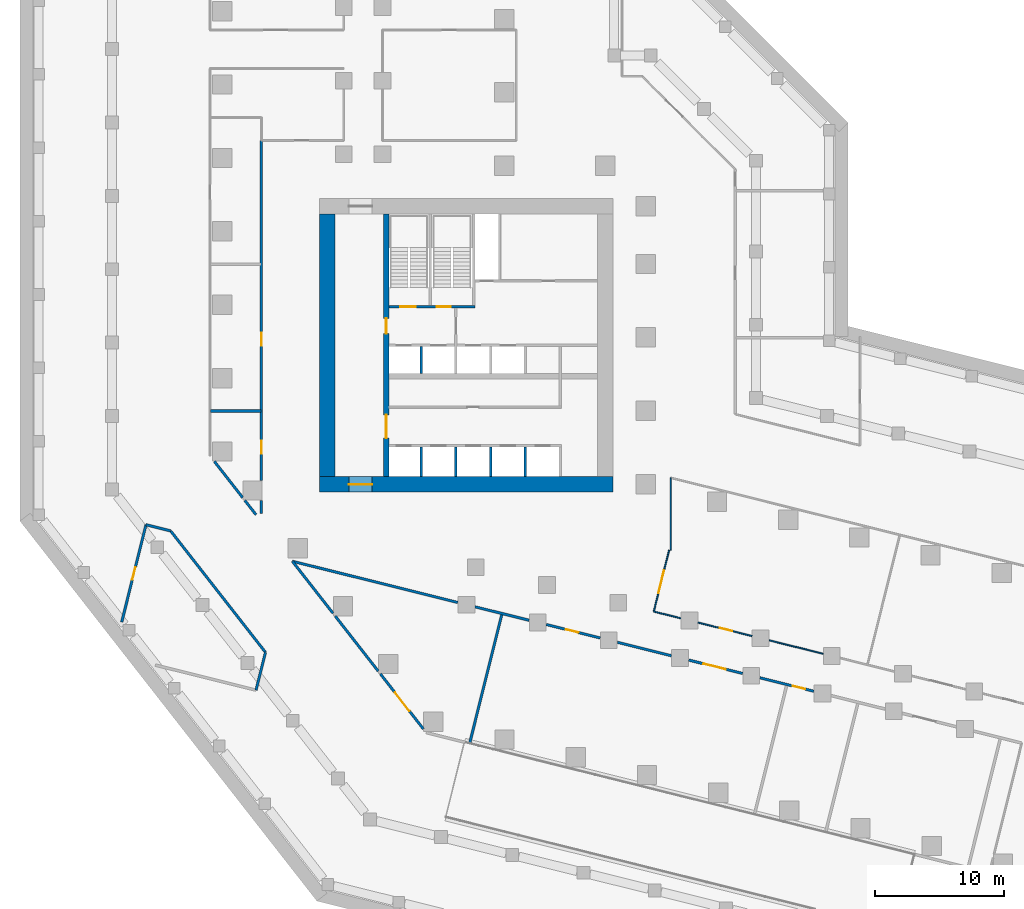
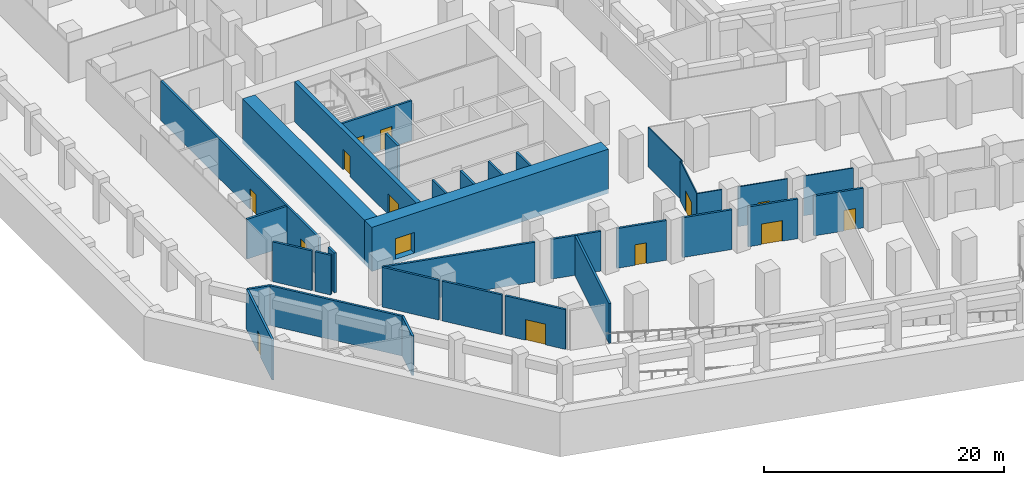
# One storey, part 5 of 14: 33 walls, 14 doors, 14 openings.
"""IFC4 building model written with IfcOpenShell, lengths in metres."""

from ifc_helpers import new_model, si_unit, direction, frame, frame_2d, origin, place, context, subcontext, project, spatial, rectangle, extrude, material, layer, layer_set, type_object, element, fill, save


model = new_model("IFC4")

# Units and contexts
model_context = context("Model", 3, precision=1e-05, world=origin(), true_north=direction((0.0, 1.0)))
body_context = subcontext(model_context, "Body", "Model", "MODEL_VIEW")
ifc_project = project(units=[si_unit("LENGTHUNIT", "METRE"), si_unit("AREAUNIT", "SQUARE_METRE"), si_unit("VOLUMEUNIT", "CUBIC_METRE"), si_unit("PLANEANGLEUNIT", "RADIAN"), si_unit("MASSUNIT", "GRAM", prefix="KILO")], contexts=[model_context])

# Site, building, storey
site_placement = place(None, origin())
site = spatial("IfcSite", under=ifc_project, at=site_placement, CompositionType="ELEMENT")
building_placement = place(site_placement, origin())
building = spatial("IfcBuilding", under=site, at=building_placement, Name="Meshkara Civic Tower", CompositionType="ELEMENT")
storey_placement = place(building_placement, frame((0.0, 0.0, -4.5)))
storey = spatial("IfcBuildingStorey", under=building, at=storey_placement, Name="B1", CompositionType="ELEMENT", Elevation=-4.5)

# Wall, opening, door
ifc_material_1 = material(Name="Concrete C80", Category="concrete")
ifc_layer_1 = layer(ifc_material_1, 1.199951171875)
ifc_layer_set_1 = layer_set([ifc_layer_1], Name="Core ring wall 1200 C80")
wall_type_1 = type_object("IfcWallType", Name="Core ring wall 1200 C80", PredefinedType="SHEAR", material=ifc_layer_set_1)
wall_1_placement = place(storey_placement, frame((8.0, 14.699951171875, -0.449951171875), z_axis=(0.0, 0.0, 1.0), x_axis=(1.0, 0.0, 0.0)))
wall_1 = element("IfcWall", 1, at=wall_1_placement, inside=storey, type_object=wall_type_1, Name="B1-C001", PredefinedType="SHEAR", context=body_context, shape_type="SweptSolid", body=[
    extrude(rectangle(XDim=22.800048828125, YDim=1.199951171875, at=frame_2d((11.39990234375, 0.0))), origin(), (0.0, 0.0, 1.0), 4.5),
])
opening_1_placement = place(wall_1_placement, frame((2.300048828125, 0.0, 0.449951171875)))
opening_1 = element("IfcOpeningElement", 2, at=opening_1_placement, cuts=wall_1, Name="Opening B1-K019", PredefinedType="OPENING", context=body_context, shape_type="SweptSolid", body=[
    extrude(rectangle(XDim=1.800048828125, YDim=2.10009765625, at=frame_2d((0.89990234375, 1.050048828125))), frame((0.0, 0.60986328125, 0.0), z_axis=(0.0, -1.0, 0.0), x_axis=(1.0, 0.0, 0.0)), (0.0, 0.0, 1.0), 1.219970703125),
])
ifc_material_2 = material(Name="Fire-rated door leaf in steel frame", Category="steel")
door_type_1 = type_object("IfcDoorType", Name="Core double door 1800 EI 60", OperationType="DOUBLE_DOOR_SINGLE_SWING", PredefinedType="DOOR", material=ifc_material_2)
door_1_placement = place(opening_1_placement, origin())
door_1 = element("IfcDoor", 3, at=door_1_placement, inside=storey, type_object=door_type_1, Name="B1-K019", OperationType="DOUBLE_DOOR_SINGLE_SWING", OverallHeight=2.10009765625, OverallWidth=1.800048828125, PredefinedType="DOOR", context=body_context, shape_type="SweptSolid", body=[
    extrude(rectangle(XDim=1.800048828125, YDim=2.10009765625, at=frame_2d((0.89990234375, 1.050048828125))), frame((0.0, 0.02490234375, 0.0), z_axis=(0.0, -1.0, 0.0), x_axis=(1.0, 0.0, 0.0)), (0.0, 0.0, 1.0), 0.050048828125),
])
fill(opening_1, door_1)

# Wall
wall_2_placement = place(storey_placement, frame((8.60009765625, 15.300048828125, -0.449951171875), z_axis=(0.0, 0.0, 1.0), x_axis=(0.0, 1.0, 0.0)))
element("IfcWall", 4, at=wall_2_placement, inside=storey, type_object=wall_type_1, Name="B1-C003", PredefinedType="SHEAR", context=body_context, shape_type="SweptSolid", body=[
    extrude(rectangle(XDim=20.39990234375, YDim=1.199951171875, at=frame_2d((10.199951171875, 0.0))), origin(), (0.0, 0.0, 1.0), 4.5),
])

# Wall, openings, doors
ifc_material_3 = material(Name="Concrete C80", Category="concrete")
ifc_layer_2 = layer(ifc_material_3, 0.39990234375)
ifc_layer_set_2 = layer_set([ifc_layer_2], Name="Core shear wall 400 C80")
wall_type_2 = type_object("IfcWallType", Name="Core shear wall 400 C80", PredefinedType="SHEAR", material=ifc_layer_set_2)
wall_3_placement = place(storey_placement, frame((13.199951171875, 15.300048828125, 0.0), z_axis=(0.0, 0.0, 1.0), x_axis=(0.0, 1.0, 0.0)))
wall_3 = element("IfcWall", 5, at=wall_3_placement, inside=storey, type_object=wall_type_2, Name="B1-C011", PredefinedType="SHEAR", context=body_context, shape_type="SweptSolid", body=[
    extrude(rectangle(XDim=20.39990234375, YDim=0.39990234375, at=frame_2d((10.199951171875, 0.0))), origin(), (0.0, 0.0, 1.0), 4.050048828125),
])
opening_2_placement = place(wall_3_placement, frame((3.0, 0.0, 0.0)))
opening_2 = element("IfcOpeningElement", 6, at=opening_2_placement, cuts=wall_3, Name="Opening B1-K015", PredefinedType="OPENING", context=body_context, shape_type="SweptSolid", body=[
    extrude(rectangle(XDim=1.800048828125, YDim=2.10009765625, at=frame_2d((0.89990234375, 1.050048828125))), frame((0.0, 0.2099609375, 0.0), z_axis=(0.0, -1.0, 0.0), x_axis=(1.0, 0.0, 0.0)), (0.0, 0.0, 1.0), 0.419921875),
])
opening_3_placement = place(wall_3_placement, frame((11.10009765625, 0.0, 0.0)))
opening_3 = element("IfcOpeningElement", 7, at=opening_3_placement, cuts=wall_3, Name="Opening B1-K016", PredefinedType="OPENING", context=body_context, shape_type="SweptSolid", body=[
    extrude(rectangle(XDim=1.199951171875, YDim=2.10009765625, at=frame_2d((0.60009765625, 1.050048828125))), frame((0.0, 0.2099609375, 0.0), z_axis=(0.0, -1.0, 0.0), x_axis=(1.0, 0.0, 0.0)), (0.0, 0.0, 1.0), 0.419921875),
])
door_2_placement = place(opening_2_placement, origin())
door_2 = element("IfcDoor", 8, at=door_2_placement, inside=storey, type_object=door_type_1, Name="B1-K015", OperationType="DOUBLE_DOOR_SINGLE_SWING", OverallHeight=2.10009765625, OverallWidth=1.800048828125, PredefinedType="DOOR", context=body_context, shape_type="SweptSolid", body=[
    extrude(rectangle(XDim=1.800048828125, YDim=2.10009765625, at=frame_2d((0.89990234375, 1.050048828125))), frame((0.0, 0.02490234375, 0.0), z_axis=(0.0, -1.0, 0.0), x_axis=(1.0, 0.0, 0.0)), (0.0, 0.0, 1.0), 0.050048828125),
])
fill(opening_2, door_2)
ifc_material_4 = material(Name="Fire-rated door leaf in steel frame", Category="steel")
door_type_2 = type_object("IfcDoorType", Name="Fire-fighting lobby door 1200 EI 120", OperationType="SINGLE_SWING_LEFT", PredefinedType="DOOR", material=ifc_material_4)
door_3_placement = place(opening_3_placement, origin())
door_3 = element("IfcDoor", 9, at=door_3_placement, inside=storey, type_object=door_type_2, Name="B1-K016", OperationType="SINGLE_SWING_LEFT", OverallHeight=2.10009765625, OverallWidth=1.199951171875, PredefinedType="DOOR", context=body_context, shape_type="SweptSolid", body=[
    extrude(rectangle(XDim=1.199951171875, YDim=2.10009765625, at=frame_2d((0.60009765625, 1.050048828125))), frame((0.0, 0.02490234375, 0.0), z_axis=(0.0, -1.0, 0.0), x_axis=(1.0, 0.0, 0.0)), (0.0, 0.0, 1.0), 0.050048828125),
])
fill(opening_3, door_3)

# Wall, opening, door
ifc_material_5 = material(Name="Corridor wall 100")
ifc_layer_3 = layer(ifc_material_5, 0.10009765625)
ifc_layer_set_3 = layer_set([ifc_layer_3], Name="Corridor wall 100")
wall_type_3 = type_object("IfcWallType", Name="Corridor wall 100", PredefinedType="PARTITIONING", material=ifc_layer_set_3)
wall_4_placement = place(storey_placement, frame((33.97607421875, 4.823974609375, 0.0), z_axis=(0.0, 0.0, 1.0), x_axis=(0.241940400058, 0.970291112409, 0.0)))
wall_4 = element("IfcWall", 10, at=wall_4_placement, inside=storey, type_object=wall_type_3, Name="B1-R051", PredefinedType="PARTITIONING", context=body_context, shape_type="SweptSolid", body=[
    extrude(rectangle(XDim=4.92236328125, YDim=0.10009765625, at=frame_2d((2.461181640625, 0.0))), origin(), (0.0, 0.0, 1.0), 4.050048828125),
])
opening_4_placement = place(wall_4_placement, frame((1.47998046875, 0.0, 0.0)))
opening_4 = element("IfcOpeningElement", 11, at=opening_4_placement, cuts=wall_4, Name="Opening B1-P015", PredefinedType="OPENING", context=body_context, shape_type="SweptSolid", body=[
    extrude(rectangle(XDim=1.800048828125, YDim=2.10009765625, at=frame_2d((0.89990234375, 1.050048828125))), frame((0.0, 0.06005859375, 0.0), z_axis=(0.0, -1.0, 0.0), x_axis=(1.0, 0.0, 0.0)), (0.0, 0.0, 1.0), 0.1201171875),
])
ifc_material_6 = material(Name="Door pair 1800 x 2100")
door_type_3 = type_object("IfcDoorType", Name="Door pair 1800 x 2100", OperationType="SINGLE_SWING_LEFT", PredefinedType="DOOR", material=ifc_material_6)
door_4_placement = place(opening_4_placement, origin())
door_4 = element("IfcDoor", 12, at=door_4_placement, inside=storey, type_object=door_type_3, Name="B1-P015", OperationType="DOUBLE_DOOR_SINGLE_SWING", OverallHeight=2.10009765625, OverallWidth=1.800048828125, PredefinedType="DOOR", context=body_context, shape_type="SweptSolid", body=[
    extrude(rectangle(XDim=1.800048828125, YDim=2.10009765625, at=frame_2d((0.89990234375, 1.050048828125))), frame((0.0, 0.02490234375, 0.0), z_axis=(0.0, -1.0, 0.0), x_axis=(1.0, 0.0, 0.0)), (0.0, 0.0, 1.0), 0.050048828125),
])
fill(opening_4, door_4)

# Walls
wall_5_placement = place(storey_placement, frame((35.300048828125, 9.60009765625, 0.0), z_axis=(0.0, 0.0, 1.0), x_axis=(0.0, 1.0, 0.0)))
element("IfcWall", 13, at=wall_5_placement, inside=storey, type_object=wall_type_3, Name="B1-R052", PredefinedType="PARTITIONING", context=body_context, shape_type="SweptSolid", body=[
    extrude(rectangle(XDim=5.61279296875, YDim=0.10009765625, at=frame_2d((2.806396484375, 0.0))), origin(), (0.0, 0.0, 1.0), 4.050048828125),
])
wall_6_placement = place(storey_placement, frame((36.072021484375, 4.301025390625, 0.0), z_axis=(0.0, 0.0, 1.0), x_axis=(-0.970255412337, 0.242083528623, 0.0)))
element("IfcWall", 14, at=wall_6_placement, inside=storey, type_object=wall_type_3, Name="B1-R054", PredefinedType="PARTITIONING", context=body_context, shape_type="SweptSolid", body=[
    extrude(rectangle(XDim=2.16015625, YDim=0.10009765625, at=frame_2d((1.080078125, 0.0))), origin(), (0.0, 0.0, 1.0), 4.050048828125),
])

# Wall, opening, door
wall_7_placement = place(storey_placement, frame((41.60205078125, 2.923095703125, 0.0), z_axis=(0.0, 0.0, 1.0), x_axis=(-0.970335093604, 0.241763947107, 0.0)))
wall_7 = element("IfcWall", 15, at=wall_7_placement, inside=storey, type_object=wall_type_3, Name="B1-R058", PredefinedType="PARTITIONING", context=body_context, shape_type="SweptSolid", body=[
    extrude(rectangle(XDim=4.318115234375, YDim=0.10009765625, at=frame_2d((2.1591796875, 0.0))), origin(), (0.0, 0.0, 1.0), 4.050048828125),
])
opening_5_placement = place(wall_7_placement, frame((1.580078125, 0.0, 0.0)))
opening_5 = element("IfcOpeningElement", 16, at=opening_5_placement, cuts=wall_7, Name="Opening B1-P013", PredefinedType="OPENING", context=body_context, shape_type="SweptSolid", body=[
    extrude(rectangle(XDim=1.0, YDim=2.10009765625, at=frame_2d((0.5, 1.050048828125))), frame((0.0, 0.06005859375, 0.0), z_axis=(0.0, -1.0, 0.0), x_axis=(1.0, 0.0, 0.0)), (0.0, 0.0, 1.0), 0.1201171875),
])
ifc_material_7 = material(Name="Door 1000 x 2100")
door_type_4 = type_object("IfcDoorType", Name="Door 1000 x 2100", OperationType="SINGLE_SWING_LEFT", PredefinedType="DOOR", material=ifc_material_7)
door_5_placement = place(opening_5_placement, origin())
door_5 = element("IfcDoor", 17, at=door_5_placement, inside=storey, type_object=door_type_4, Name="B1-P013", OperationType="SINGLE_SWING_LEFT", OverallHeight=2.10009765625, OverallWidth=1.0, PredefinedType="DOOR", context=body_context, shape_type="SweptSolid", body=[
    extrude(rectangle(XDim=1.0, YDim=2.10009765625, at=frame_2d((0.5, 1.050048828125))), frame((0.0, 0.02490234375, 0.0), z_axis=(0.0, -1.0, 0.0), x_axis=(1.0, 0.0, 0.0)), (0.0, 0.0, 1.0), 0.050048828125),
])
fill(opening_5, door_5)

# Wall
wall_8_placement = place(storey_placement, frame((47.133056640625, 1.54296875, 0.0), z_axis=(0.0, 0.0, 1.0), x_axis=(-0.970298563138, 0.241910517285, 0.0)))
element("IfcWall", 18, at=wall_8_placement, inside=storey, type_object=wall_type_3, Name="B1-R060", PredefinedType="PARTITIONING", context=body_context, shape_type="SweptSolid", body=[
    extrude(rectangle(XDim=4.3193359375, YDim=0.10009765625, at=frame_2d((2.15966796875, 0.0))), origin(), (0.0, 0.0, 1.0), 4.050048828125),
])

# Wall, opening, door
ifc_material_8 = material(Name="Fire-rated wall 200")
ifc_layer_4 = layer(ifc_material_8, 0.199951171875)
ifc_layer_set_4 = layer_set([ifc_layer_4], Name="Fire-rated wall 200")
wall_type_4 = type_object("IfcWallType", Name="Fire-rated wall 200", PredefinedType="PARTITIONING", material=ifc_layer_set_4)
wall_9_placement = place(storey_placement, frame((-7.347900390625, 4.009033203125, 0.0), z_axis=(0.0, 0.0, 1.0), x_axis=(0.24190854342, 0.970299055251, 0.0)))
wall_9 = element("IfcWall", 19, at=wall_9_placement, inside=storey, type_object=wall_type_4, Name="B1-R001", PredefinedType="PARTITIONING", context=body_context, shape_type="SweptSolid", body=[
    extrude(rectangle(XDim=7.787109375, YDim=0.199951171875, at=frame_2d((3.8935546875, 0.0))), origin(), (0.0, 0.0, 1.0), 4.050048828125),
])
opening_6_placement = place(wall_9_placement, frame((3.3798828125, 0.0, 0.0)))
opening_6 = element("IfcOpeningElement", 20, at=opening_6_placement, cuts=wall_9, Name="Opening B1-P014", PredefinedType="OPENING", context=body_context, shape_type="SweptSolid", body=[
    extrude(rectangle(XDim=1.0, YDim=2.10009765625, at=frame_2d((0.5, 1.050048828125))), frame((0.0, 0.10986328125, 0.0), z_axis=(0.0, -1.0, 0.0), x_axis=(1.0, 0.0, 0.0)), (0.0, 0.0, 1.0), 0.219970703125),
])
door_6_placement = place(opening_6_placement, origin())
door_6 = element("IfcDoor", 21, at=door_6_placement, inside=storey, type_object=door_type_4, Name="B1-P014", OperationType="SINGLE_SWING_LEFT", OverallHeight=2.10009765625, OverallWidth=1.0, PredefinedType="DOOR", context=body_context, shape_type="SweptSolid", body=[
    extrude(rectangle(XDim=1.0, YDim=2.10009765625, at=frame_2d((0.5, 1.050048828125))), frame((0.0, 0.02490234375, 0.0), z_axis=(0.0, -1.0, 0.0), x_axis=(1.0, 0.0, 0.0)), (0.0, 0.0, 1.0), 0.050048828125),
])
fill(opening_6, door_6)

# Walls
wall_10_placement = place(storey_placement, frame((-5.464111328125, 11.56494140625, 0.0), z_axis=(0.0, 0.0, 1.0), x_axis=(0.970258984685, -0.242069210428, 0.0)))
element("IfcWall", 22, at=wall_10_placement, inside=storey, type_object=wall_type_4, Name="B1-R002", PredefinedType="PARTITIONING", context=body_context, shape_type="SweptSolid", body=[
    extrude(rectangle(XDim=1.970703125, YDim=0.199951171875, at=frame_2d((0.9853515625, 0.0))), origin(), (0.0, 0.0, 1.0), 4.050048828125),
])
wall_11_placement = place(storey_placement, frame((-3.552001953125, 11.087890625, 0.0), z_axis=(0.0, 0.0, 1.0), x_axis=(0.61567373726, -0.78800117338, 0.0)))
element("IfcWall", 23, at=wall_11_placement, inside=storey, type_object=wall_type_4, Name="B1-R003", PredefinedType="PARTITIONING", context=body_context, shape_type="SweptSolid", body=[
    extrude(rectangle(XDim=11.965576171875, YDim=0.199951171875, at=frame_2d((5.98291015625, 0.0))), origin(), (0.0, 0.0, 1.0), 4.050048828125),
])
wall_12_placement = place(storey_placement, frame((2.0439453125, 13.672119140625, 0.0), z_axis=(0.0, 0.0, 1.0), x_axis=(-0.615705088294, 0.787976677477, 0.0)))
element("IfcWall", 24, at=wall_12_placement, inside=storey, type_object=wall_type_4, Name="B1-R010", PredefinedType="PARTITIONING", context=body_context, shape_type="SweptSolid", body=[
    extrude(rectangle(XDim=3.56982421875, YDim=0.199951171875, at=frame_2d((1.784912109375, 0.0))), origin(), (0.0, 0.0, 1.0), 4.050048828125),
])
wall_13_placement = place(storey_placement, frame((3.0791015625, 12.346923828125, 0.0), z_axis=(0.0, 0.0, 1.0), x_axis=(-0.61579508321, 0.787906349444, 0.0)))
element("IfcWall", 25, at=wall_13_placement, inside=storey, type_object=wall_type_4, Name="B1-R012", PredefinedType="PARTITIONING", context=body_context, shape_type="SweptSolid", body=[
    extrude(rectangle(XDim=1.411376953125, YDim=0.199951171875, at=frame_2d((0.70556640625, 0.0))), origin(), (0.0, 0.0, 1.0), 4.050048828125),
])
wall_14_placement = place(storey_placement, frame((3.5, 13.458984375, 0.0), z_axis=(0.0, 0.0, 1.0), x_axis=(0.0, -1.0, 0.0)))
element("IfcWall", 26, at=wall_14_placement, inside=storey, type_object=wall_type_4, Name="B1-R013", PredefinedType="PARTITIONING", context=body_context, shape_type="SweptSolid", body=[
    extrude(rectangle(XDim=1.035888671875, YDim=0.199951171875, at=frame_2d((0.51806640625, 0.0))), origin(), (0.0, 0.0, 1.0), 4.050048828125),
])

# Wall, openings, doors
wall_15_placement = place(storey_placement, frame((3.5, 14.9990234375, 0.0), z_axis=(0.0, 0.0, 1.0), x_axis=(0.0, 1.0, 0.0)))
wall_15 = element("IfcWall", 27, at=wall_15_placement, inside=storey, type_object=wall_type_4, Name="B1-R014", PredefinedType="PARTITIONING", context=body_context, shape_type="SweptSolid", body=[
    extrude(rectangle(XDim=26.40087890625, YDim=0.199951171875, at=frame_2d((13.200439453125, 0.0))), origin(), (0.0, 0.0, 1.0), 4.050048828125),
])
opening_7_placement = place(wall_15_placement, frame((2.080078125, 0.0, 0.0)))
opening_7 = element("IfcOpeningElement", 28, at=opening_7_placement, cuts=wall_15, Name="Opening B1-P016", PredefinedType="OPENING", context=body_context, shape_type="SweptSolid", body=[
    extrude(rectangle(XDim=1.0, YDim=2.10009765625, at=frame_2d((0.5, 1.050048828125))), frame((0.0, 0.10986328125, 0.0), z_axis=(0.0, -1.0, 0.0), x_axis=(1.0, 0.0, 0.0)), (0.0, 0.0, 1.0), 0.219970703125),
])
opening_8_placement = place(wall_15_placement, frame((10.48095703125, 0.0, 0.0)))
opening_8 = element("IfcOpeningElement", 29, at=opening_8_placement, cuts=wall_15, Name="Opening B1-P018", PredefinedType="OPENING", context=body_context, shape_type="SweptSolid", body=[
    extrude(rectangle(XDim=1.0, YDim=2.10009765625, at=frame_2d((0.5, 1.050048828125))), frame((0.0, 0.10986328125, 0.0), z_axis=(0.0, -1.0, 0.0), x_axis=(1.0, 0.0, 0.0)), (0.0, 0.0, 1.0), 0.219970703125),
])
door_7_placement = place(opening_7_placement, origin())
door_7 = element("IfcDoor", 30, at=door_7_placement, inside=storey, type_object=door_type_4, Name="B1-P016", OperationType="SINGLE_SWING_RIGHT", OverallHeight=2.10009765625, OverallWidth=1.0, PredefinedType="DOOR", context=body_context, shape_type="SweptSolid", body=[
    extrude(rectangle(XDim=1.0, YDim=2.10009765625, at=frame_2d((0.5, 1.050048828125))), frame((0.0, 0.02490234375, 0.0), z_axis=(0.0, -1.0, 0.0), x_axis=(1.0, 0.0, 0.0)), (0.0, 0.0, 1.0), 0.050048828125),
])
fill(opening_7, door_7)
door_8_placement = place(opening_8_placement, origin())
door_8 = element("IfcDoor", 31, at=door_8_placement, inside=storey, type_object=door_type_4, Name="B1-P018", OperationType="SINGLE_SWING_RIGHT", OverallHeight=2.10009765625, OverallWidth=1.0, PredefinedType="DOOR", context=body_context, shape_type="SweptSolid", body=[
    extrude(rectangle(XDim=1.0, YDim=2.10009765625, at=frame_2d((0.5, 1.050048828125))), frame((0.0, 0.02490234375, 0.0), z_axis=(0.0, -1.0, 0.0), x_axis=(1.0, 0.0, 0.0)), (0.0, 0.0, 1.0), 0.050048828125),
])
fill(opening_8, door_8)

# Walls
wall_16_placement = place(storey_placement, frame((3.81494140625, 1.658935546875, 0.0), z_axis=(0.0, 0.0, 1.0), x_axis=(-0.242043001073, -0.970265523262, 0.0)))
element("IfcWall", 32, at=wall_16_placement, inside=storey, type_object=wall_type_4, Name="B1-R015", PredefinedType="PARTITIONING", context=body_context, shape_type="SweptSolid", body=[
    extrude(rectangle(XDim=3.031982421875, YDim=0.199951171875, at=frame_2d((1.51611328125, 0.0))), origin(), (0.0, 0.0, 1.0), 4.050048828125),
])
wall_17_placement = place(storey_placement, frame((5.904052734375, 8.73095703125, 0.0), z_axis=(0.0, 0.0, 1.0), x_axis=(0.970295210336, -0.241923964912, 0.0)))
element("IfcWall", 33, at=wall_17_placement, inside=storey, type_object=wall_type_4, Name="B1-R016", PredefinedType="PARTITIONING", context=body_context, shape_type="SweptSolid", body=[
    extrude(rectangle(XDim=13.2431640625, YDim=0.199951171875, at=frame_2d((6.62158203125, 0.0))), origin(), (0.0, 0.0, 1.0), 4.050048828125),
])
wall_18_placement = place(storey_placement, frame((9.06298828125, 4.68798828125, 0.0), z_axis=(0.0, 0.0, 1.0), x_axis=(-0.615688364166, 0.787989745003, 0.0)))
element("IfcWall", 34, at=wall_18_placement, inside=storey, type_object=wall_type_4, Name="B1-R017", PredefinedType="PARTITIONING", context=body_context, shape_type="SweptSolid", body=[
    extrude(rectangle(XDim=5.130859375, YDim=0.199951171875, at=frame_2d((2.5654296875, 0.0))), origin(), (0.0, 0.0, 1.0), 4.050048828125),
])
wall_19_placement = place(storey_placement, frame((12.572021484375, 0.197021484375, 0.0), z_axis=(0.0, 0.0, 1.0), x_axis=(-0.615732172214, 0.787955514037, 0.0)))
element("IfcWall", 35, at=wall_19_placement, inside=storey, type_object=wall_type_4, Name="B1-R027", PredefinedType="PARTITIONING", context=body_context, shape_type="SweptSolid", body=[
    extrude(rectangle(XDim=5.429443359375, YDim=0.199951171875, at=frame_2d((2.71484375, 0.0))), origin(), (0.0, 0.0, 1.0), 4.050048828125),
])

# Wall, opening, door
wall_20_placement = place(storey_placement, frame((16.0810546875, -4.294921875, 0.0), z_axis=(0.0, 0.0, 1.0), x_axis=(-0.61566672729, 0.788006650294, 0.0)))
wall_20 = element("IfcWall", 36, at=wall_20_placement, inside=storey, type_object=wall_type_4, Name="B1-R036", PredefinedType="PARTITIONING", context=body_context, shape_type="SweptSolid", body=[
    extrude(rectangle(XDim=5.429931640625, YDim=0.199951171875, at=frame_2d((2.71484375, 0.0))), origin(), (0.0, 0.0, 1.0), 4.050048828125),
])
opening_9_placement = place(wall_20_placement, frame((1.780029296875, 0.0, 0.0)))
opening_9 = element("IfcOpeningElement", 37, at=opening_9_placement, cuts=wall_20, Name="Opening B1-P003", PredefinedType="OPENING", context=body_context, shape_type="SweptSolid", body=[
    extrude(rectangle(XDim=1.800048828125, YDim=2.10009765625, at=frame_2d((0.89990234375, 1.050048828125))), frame((0.0, 0.10986328125, 0.0), z_axis=(0.0, -1.0, 0.0), x_axis=(1.0, 0.0, 0.0)), (0.0, 0.0, 1.0), 0.219970703125),
])
door_9_placement = place(opening_9_placement, origin())
door_9 = element("IfcDoor", 38, at=door_9_placement, inside=storey, type_object=door_type_3, Name="B1-P003", OperationType="DOUBLE_DOOR_SINGLE_SWING", OverallHeight=2.10009765625, OverallWidth=1.800048828125, PredefinedType="DOOR", context=body_context, shape_type="SweptSolid", body=[
    extrude(rectangle(XDim=1.800048828125, YDim=2.10009765625, at=frame_2d((0.89990234375, 1.050048828125))), frame((0.0, 0.02490234375, 0.0), z_axis=(0.0, -1.0, 0.0), x_axis=(1.0, 0.0, 0.0)), (0.0, 0.0, 1.0), 0.050048828125),
])
fill(opening_9, door_9)

# Wall
wall_21_placement = place(storey_placement, frame((20.093994140625, 5.193115234375, 0.0), z_axis=(0.0, 0.0, 1.0), x_axis=(0.970321828551, -0.241817181023, 0.0)))
element("IfcWall", 39, at=wall_21_placement, inside=storey, type_object=wall_type_4, Name="B1-R038", PredefinedType="PARTITIONING", context=body_context, shape_type="SweptSolid", body=[
    extrude(rectangle(XDim=4.318115234375, YDim=0.199951171875, at=frame_2d((2.1591796875, 0.0))), origin(), (0.0, 0.0, 1.0), 4.050048828125),
])

# Wall, opening, door
wall_22_placement = place(storey_placement, frame((25.6240234375, 3.81494140625, 0.0), z_axis=(0.0, 0.0, 1.0), x_axis=(0.970295255208, -0.241923784941, 0.0)))
wall_22 = element("IfcWall", 40, at=wall_22_placement, inside=storey, type_object=wall_type_4, Name="B1-R046", PredefinedType="PARTITIONING", context=body_context, shape_type="SweptSolid", body=[
    extrude(rectangle(XDim=4.3193359375, YDim=0.199951171875, at=frame_2d((2.15966796875, 0.0))), origin(), (0.0, 0.0, 1.0), 4.050048828125),
])
opening_10_placement = place(wall_22_placement, frame((1.580078125, 0.0, 0.0)))
opening_10 = element("IfcOpeningElement", 41, at=opening_10_placement, cuts=wall_22, Name="Opening B1-P011", PredefinedType="OPENING", context=body_context, shape_type="SweptSolid", body=[
    extrude(rectangle(XDim=1.0, YDim=2.10009765625, at=frame_2d((0.5, 1.050048828125))), frame((0.0, 0.10986328125, 0.0), z_axis=(0.0, -1.0, 0.0), x_axis=(1.0, 0.0, 0.0)), (0.0, 0.0, 1.0), 0.219970703125),
])
door_10_placement = place(opening_10_placement, origin())
door_10 = element("IfcDoor", 42, at=door_10_placement, inside=storey, type_object=door_type_4, Name="B1-P011", OperationType="SINGLE_SWING_RIGHT", OverallHeight=2.10009765625, OverallWidth=1.0, PredefinedType="DOOR", context=body_context, shape_type="SweptSolid", body=[
    extrude(rectangle(XDim=1.0, YDim=2.10009765625, at=frame_2d((0.5, 1.050048828125))), frame((0.0, 0.02490234375, 0.0), z_axis=(0.0, -1.0, 0.0), x_axis=(1.0, 0.0, 0.0)), (0.0, 0.0, 1.0), 0.050048828125),
])
fill(opening_10, door_10)

# Wall
wall_23_placement = place(storey_placement, frame((31.155029296875, 2.43505859375, 0.0), z_axis=(0.0, 0.0, 1.0), x_axis=(0.970348308202, -0.24171090329, 0.0)))
element("IfcWall", 43, at=wall_23_placement, inside=storey, type_object=wall_type_4, Name="B1-R047", PredefinedType="PARTITIONING", context=body_context, shape_type="SweptSolid", body=[
    extrude(rectangle(XDim=4.319091796875, YDim=0.199951171875, at=frame_2d((2.15966796875, 0.0))), origin(), (0.0, 0.0, 1.0), 4.050048828125),
])

# Wall, opening, door
wall_24_placement = place(storey_placement, frame((36.68603515625, 1.055908203125, 0.0), z_axis=(0.0, 0.0, 1.0), x_axis=(0.970335093604, -0.241763947107, 0.0)))
wall_24 = element("IfcWall", 44, at=wall_24_placement, inside=storey, type_object=wall_type_4, Name="B1-R055", PredefinedType="PARTITIONING", context=body_context, shape_type="SweptSolid", body=[
    extrude(rectangle(XDim=4.318115234375, YDim=0.199951171875, at=frame_2d((2.1591796875, 0.0))), origin(), (0.0, 0.0, 1.0), 4.050048828125),
])
opening_11_placement = place(wall_24_placement, frame((1.179931640625, 0.0, 0.0)))
opening_11 = element("IfcOpeningElement", 45, at=opening_11_placement, cuts=wall_24, Name="Opening B1-P012", PredefinedType="OPENING", context=body_context, shape_type="SweptSolid", body=[
    extrude(rectangle(XDim=1.800048828125, YDim=2.10009765625, at=frame_2d((0.89990234375, 1.050048828125))), frame((0.0, 0.10986328125, 0.0), z_axis=(0.0, -1.0, 0.0), x_axis=(1.0, 0.0, 0.0)), (0.0, 0.0, 1.0), 0.219970703125),
])
door_11_placement = place(opening_11_placement, origin())
door_11 = element("IfcDoor", 46, at=door_11_placement, inside=storey, type_object=door_type_3, Name="B1-P012", OperationType="DOUBLE_DOOR_SINGLE_SWING", OverallHeight=2.10009765625, OverallWidth=1.800048828125, PredefinedType="DOOR", context=body_context, shape_type="SweptSolid", body=[
    extrude(rectangle(XDim=1.800048828125, YDim=2.10009765625, at=frame_2d((0.89990234375, 1.050048828125))), frame((0.0, 0.02490234375, 0.0), z_axis=(0.0, -1.0, 0.0), x_axis=(1.0, 0.0, 0.0)), (0.0, 0.0, 1.0), 0.050048828125),
])
fill(opening_11, door_11)

wall_25_placement = place(storey_placement, frame((42.216064453125, -0.322021484375, 0.0), z_axis=(0.0, 0.0, 1.0), x_axis=(0.970295255208, -0.241923784941, 0.0)))
wall_25 = element("IfcWall", 47, at=wall_25_placement, inside=storey, type_object=wall_type_4, Name="B1-R059", PredefinedType="PARTITIONING", context=body_context, shape_type="SweptSolid", body=[
    extrude(rectangle(XDim=4.3193359375, YDim=0.199951171875, at=frame_2d((2.15966796875, 0.0))), origin(), (0.0, 0.0, 1.0), 4.050048828125),
])
opening_12_placement = place(wall_25_placement, frame((2.639892578125, 0.0, 0.0)))
opening_12 = element("IfcOpeningElement", 48, at=opening_12_placement, cuts=wall_25, Name="Opening B1-P004", PredefinedType="OPENING", context=body_context, shape_type="SweptSolid", body=[
    extrude(rectangle(XDim=1.0, YDim=2.10009765625, at=frame_2d((0.5, 1.050048828125))), frame((0.0, 0.10986328125, 0.0), z_axis=(0.0, -1.0, 0.0), x_axis=(1.0, 0.0, 0.0)), (0.0, 0.0, 1.0), 0.219970703125),
])
door_12_placement = place(opening_12_placement, origin())
door_12 = element("IfcDoor", 49, at=door_12_placement, inside=storey, type_object=door_type_4, Name="B1-P004", OperationType="SINGLE_SWING_LEFT", OverallHeight=2.10009765625, OverallWidth=1.0, PredefinedType="DOOR", context=body_context, shape_type="SweptSolid", body=[
    extrude(rectangle(XDim=1.0, YDim=2.10009765625, at=frame_2d((0.5, 1.050048828125))), frame((0.0, 0.02490234375, 0.0), z_axis=(0.0, -1.0, 0.0), x_axis=(1.0, 0.0, 0.0)), (0.0, 0.0, 1.0), 0.050048828125),
])
fill(opening_12, door_12)

# Walls
wall_26_placement = place(storey_placement, frame((3.449951171875, 20.39990234375, 0.0), z_axis=(0.0, 0.0, 1.0), x_axis=(-1.0, 0.0, 0.0)))
element("IfcWall", 50, at=wall_26_placement, inside=storey, type_object=wall_type_4, Name="B1-R087", PredefinedType="PARTITIONING", context=body_context, shape_type="SweptSolid", body=[
    extrude(rectangle(XDim=3.89990234375, YDim=0.199951171875, at=frame_2d((1.949951171875, 0.0))), origin(), (0.0, 0.0, 1.0), 4.050048828125),
])
wall_27_placement = place(storey_placement, frame((19.673095703125, -5.419921875, 0.0), z_axis=(0.0, 0.0, 1.0), x_axis=(0.241936122435, 0.970292179017, 0.0)))
element("IfcWall", 51, at=wall_27_placement, inside=storey, type_object=wall_type_4, Name="B1-R091", PredefinedType="PARTITIONING", context=body_context, shape_type="SweptSolid", body=[
    extrude(rectangle(XDim=10.349365234375, YDim=0.199951171875, at=frame_2d((5.1748046875, 0.0))), origin(), (0.0, 0.0, 1.0), 4.050048828125),
])
ifc_material_9 = material(Name="Concrete C40/50", Category="concrete")
ifc_layer_5 = layer(ifc_material_9, 0.199951171875)
ifc_layer_set_5 = layer_set([ifc_layer_5], Name="Shaft wall 200 C40/50")
wall_type_5 = type_object("IfcWallType", Name="Shaft wall 200 C40/50", PredefinedType="SOLIDWALL", material=ifc_layer_set_5)
wall_28_placement = place(storey_placement, frame((15.89990234375, 15.300048828125, 0.0), z_axis=(0.0, 0.0, 1.0), x_axis=(0.0, 1.0, 0.0)))
element("IfcWall", 52, at=wall_28_placement, inside=storey, type_object=wall_type_5, Name="B1-C012", PredefinedType="SOLIDWALL", context=body_context, shape_type="SweptSolid", body=[
    extrude(rectangle(XDim=2.300048828125, YDim=0.199951171875, at=frame_2d((1.14990234375, 0.0))), origin(), (0.0, 0.0, 1.0), 4.050048828125),
])
wall_29_placement = place(storey_placement, frame((15.89990234375, 23.300048828125, 0.0), z_axis=(0.0, 0.0, 1.0), x_axis=(0.0, 1.0, 0.0)))
element("IfcWall", 53, at=wall_29_placement, inside=storey, type_object=wall_type_5, Name="B1-C013", PredefinedType="SOLIDWALL", context=body_context, shape_type="SweptSolid", body=[
    extrude(rectangle(XDim=2.099853515625, YDim=0.199951171875, at=frame_2d((1.0498046875, 0.0))), origin(), (0.0, 0.0, 1.0), 4.050048828125),
])
for number, where, z_axis, x_axis, name in (
    (54, (18.60009765625, 15.300048828125, 0.0), (0.0, 0.0, 1.0), (0.0, 1.0, 0.0), "B1-C015"),
    (55, (21.300048828125, 15.300048828125, 0.0), (0.0, 0.0, 1.0), (0.0, 1.0, 0.0), "B1-C018"),
    (56, (24.0, 15.300048828125, 0.0), (0.0, 0.0, 1.0), (0.0, 1.0, 0.0), "B1-C021"),
):
    element("IfcWall", number, at=place(storey_placement, frame(where, z_axis=z_axis, x_axis=x_axis)), inside=storey, type_object=wall_type_5, Name=name, PredefinedType="SOLIDWALL", context=body_context, shape_type="SweptSolid", body=[
        extrude(rectangle(XDim=2.300048828125, YDim=0.199951171875, at=frame_2d((1.14990234375, 0.0))), origin(), (0.0, 0.0, 1.0), 4.050048828125),
    ])

# Wall, openings, doors
ifc_material_10 = material(Name="Concrete C40/50", Category="concrete")
ifc_layer_6 = layer(ifc_material_10, 0.199951171875)
ifc_layer_set_6 = layer_set([ifc_layer_6], Name="Stair enclosure wall 200 C40/50")
wall_type_6 = type_object("IfcWallType", Name="Stair enclosure wall 200 C40/50", PredefinedType="SOLIDWALL", material=ifc_layer_set_6)
wall_30_placement = place(storey_placement, frame((13.39990234375, 28.5, 0.0), z_axis=(0.0, 0.0, 1.0), x_axis=(1.0, 0.0, 0.0)))
wall_30 = element("IfcWall", 57, at=wall_30_placement, inside=storey, type_object=wall_type_6, Name="B1-C009", PredefinedType="SOLIDWALL", context=body_context, shape_type="SweptSolid", body=[
    extrude(rectangle(XDim=6.7001953125, YDim=0.199951171875, at=frame_2d((3.35009765625, 0.0))), origin(), (0.0, 0.0, 1.0), 4.050048828125),
])
opening_13_placement = place(wall_30_placement, frame((0.89990234375, 0.0, 0.0)))
opening_13 = element("IfcOpeningElement", 58, at=opening_13_placement, cuts=wall_30, Name="Opening B1-K013", PredefinedType="OPENING", context=body_context, shape_type="SweptSolid", body=[
    extrude(rectangle(XDim=1.199951171875, YDim=2.10009765625, at=frame_2d((0.60009765625, 1.050048828125))), frame((0.0, 0.10986328125, 0.0), z_axis=(0.0, -1.0, 0.0), x_axis=(1.0, 0.0, 0.0)), (0.0, 0.0, 1.0), 0.219970703125),
])
opening_14_placement = place(wall_30_placement, frame((3.699951171875, 0.0, 0.0)))
opening_14 = element("IfcOpeningElement", 59, at=opening_14_placement, cuts=wall_30, Name="Opening B1-K014", PredefinedType="OPENING", context=body_context, shape_type="SweptSolid", body=[
    extrude(rectangle(XDim=1.10009765625, YDim=2.10009765625, at=frame_2d((0.550048828125, 1.050048828125))), frame((0.0, 0.10986328125, 0.0), z_axis=(0.0, -1.0, 0.0), x_axis=(1.0, 0.0, 0.0)), (0.0, 0.0, 1.0), 0.219970703125),
])
ifc_material_11 = material(Name="Fire-rated door leaf in steel frame", Category="steel")
door_type_5 = type_object("IfcDoorType", Name="Stair door 1100 EI 120", OperationType="SINGLE_SWING_LEFT", PredefinedType="DOOR", material=ifc_material_11)
door_13_placement = place(opening_14_placement, origin())
door_13 = element("IfcDoor", 60, at=door_13_placement, inside=storey, type_object=door_type_5, Name="B1-K014", OperationType="SINGLE_SWING_LEFT", OverallHeight=2.10009765625, OverallWidth=1.10009765625, PredefinedType="DOOR", context=body_context, shape_type="SweptSolid", body=[
    extrude(rectangle(XDim=1.10009765625, YDim=2.10009765625, at=frame_2d((0.550048828125, 1.050048828125))), frame((0.0, 0.02490234375, 0.0), z_axis=(0.0, -1.0, 0.0), x_axis=(1.0, 0.0, 0.0)), (0.0, 0.0, 1.0), 0.050048828125),
])
fill(opening_14, door_13)
ifc_material_12 = material(Name="Fire-rated door leaf in steel frame", Category="steel")
door_type_6 = type_object("IfcDoorType", Name="Stair door 1200 EI 120", OperationType="SINGLE_SWING_LEFT", PredefinedType="DOOR", material=ifc_material_12)
door_14_placement = place(opening_13_placement, origin())
door_14 = element("IfcDoor", 61, at=door_14_placement, inside=storey, type_object=door_type_6, Name="B1-K013", OperationType="SINGLE_SWING_RIGHT", OverallHeight=2.10009765625, OverallWidth=1.199951171875, PredefinedType="DOOR", context=body_context, shape_type="SweptSolid", body=[
    extrude(rectangle(XDim=1.199951171875, YDim=2.10009765625, at=frame_2d((0.60009765625, 1.050048828125))), frame((0.0, 0.02490234375, 0.0), z_axis=(0.0, -1.0, 0.0), x_axis=(1.0, 0.0, 0.0)), (0.0, 0.0, 1.0), 0.050048828125),
])
fill(opening_13, door_14)

save(model, "model.ifc")
